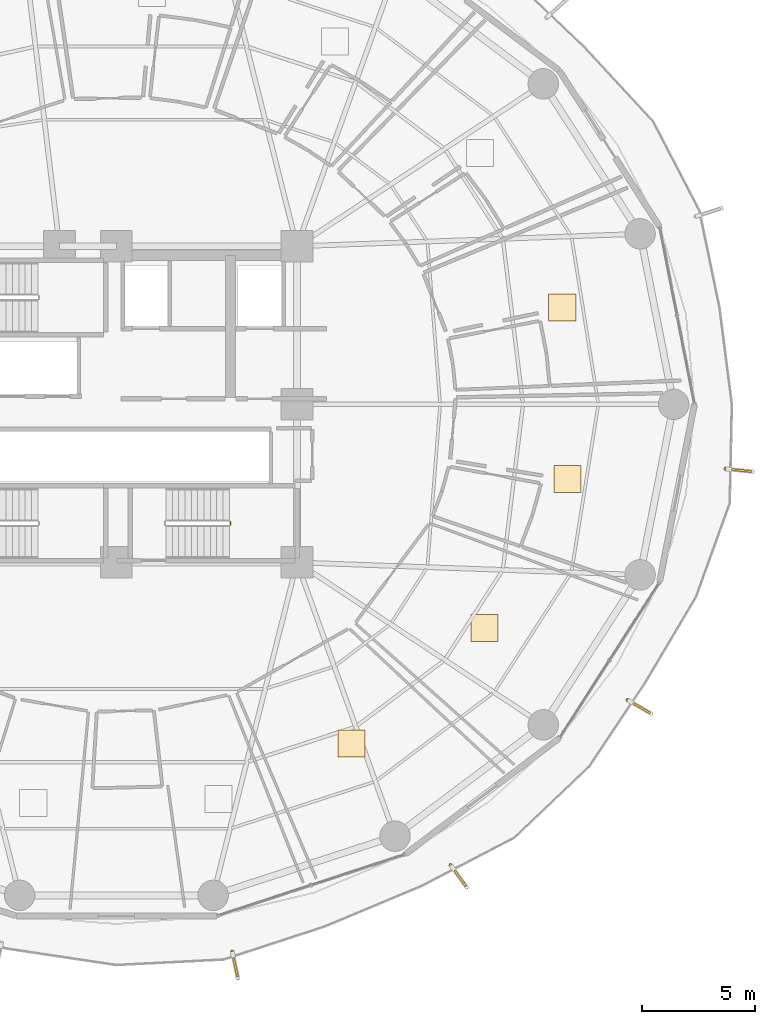
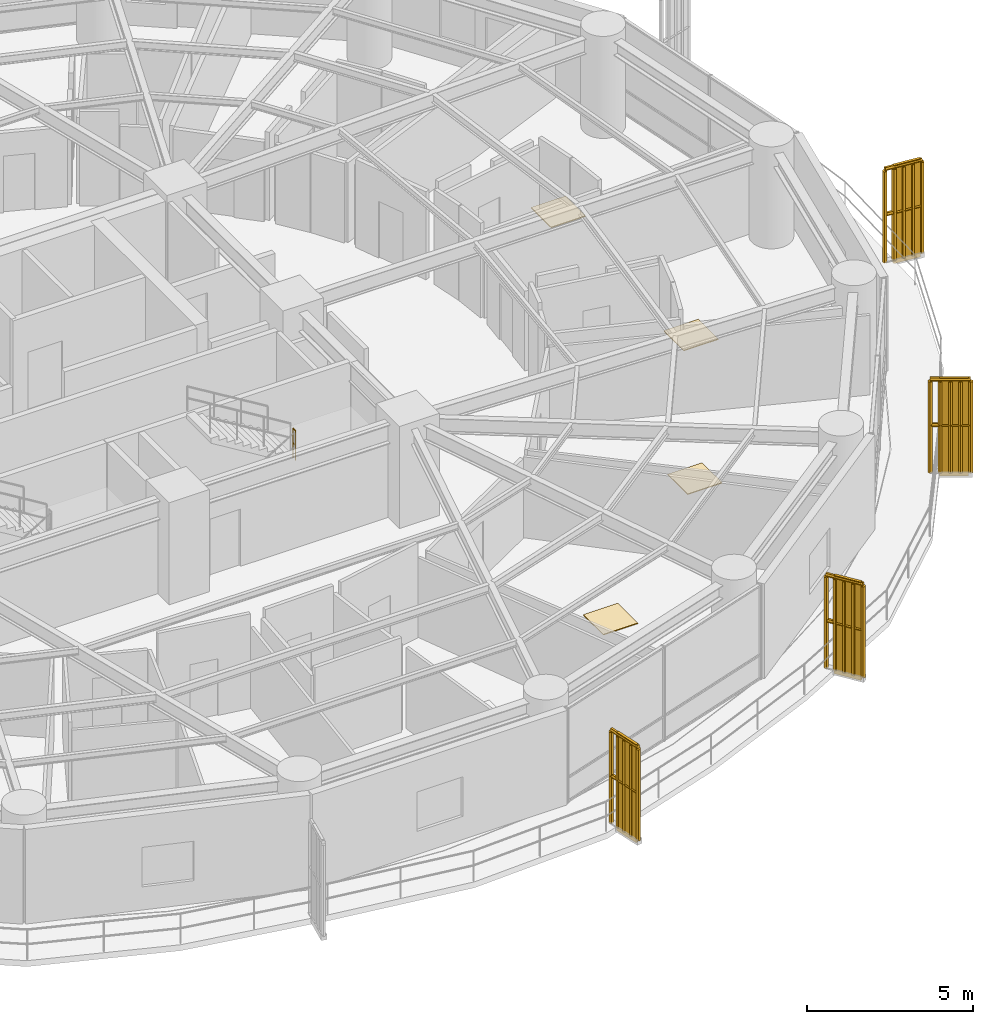
# One storey, part 34 of 35: 5 railings, 4 coverings, 4 shading devices.
"""IFC4 building model written with IfcOpenShell, lengths in metres."""

from ifc_helpers import new_model, si_unit, direction, frame, origin, origin_2d, place, context, subcontext, project, spatial, polyline, rectangle, outline, extrude, source, transform, mapped, material, layer, layer_set, type_object, element, save


model = new_model("IFC4")

# Units and contexts
model_context = context("Model", 3, precision=1e-05, world=origin(), true_north=direction((0.0, 1.0)))
body_context = subcontext(model_context, "Body", "Model", "MODEL_VIEW")
ifc_project = project(units=[si_unit("LENGTHUNIT", "METRE"), si_unit("AREAUNIT", "SQUARE_METRE"), si_unit("VOLUMEUNIT", "CUBIC_METRE"), si_unit("PLANEANGLEUNIT", "RADIAN"), si_unit("MASSUNIT", "GRAM", prefix="KILO")], contexts=[model_context])

# Site, building, storey
site_placement = place(None, origin())
site = spatial("IfcSite", under=ifc_project, at=site_placement, CompositionType="ELEMENT")
building_placement = place(site_placement, origin())
building = spatial("IfcBuilding", under=site, at=building_placement, Name="Kelanora Arch Commons", CompositionType="ELEMENT")
storey_placement = place(building_placement, frame((0.0, 0.0, 91.35009765625)))
storey = spatial("IfcBuildingStorey", under=building, at=storey_placement, Name="L23", CompositionType="ELEMENT", Elevation=91.35009765625)

# Railings
ifc_material_1 = material(Name="Anodised bronze vertical shading fin rib assembly")
railing_type_1 = type_object("IfcRailingType", Name="RAIL-FIN-BRZ", PredefinedType="BALUSTRADE", material=ifc_material_1)
railing_1_placement = place(storey_placement, frame((79.130859375, 33.773681640625, -0.02001953125)))
element("IfcRailing", 1, at=railing_1_placement, inside=storey, type_object=railing_type_1, Name="Sweeping Bronze Vertical Fin Blade L23-10", PredefinedType="BALUSTRADE", context=body_context, shape_type="SweptSolid", body=[
    extrude(outline(polyline([(0.06982421875, 0.0), (0.034912109375, 0.060546875), (-0.034912109375, 0.060546875), (-0.06982421875, 0.0), (-0.034912109375, -0.060546875), (0.034912109375, -0.060546875), (0.06982421875, 0.0)])), frame((0.0, 0.0, 3.419921875), z_axis=(0.207276835249, -0.978282328149, 0.0), x_axis=(0.978282328149, 0.207276835249, 0.0)), (0.0, 0.0, 1.0), 1.21435546875),
    extrude(outline(polyline([(0.06982421875, 0.0), (0.034912109375, 0.060546875), (-0.034912109375, 0.060546875), (-0.06982421875, 0.0), (-0.034912109375, -0.060546875), (0.034912109375, -0.060546875), (0.06982421875, 0.0)])), frame((0.0, 0.0, 1.7451171875), z_axis=(0.207276835249, -0.978282328149, 0.0), x_axis=(0.978282328149, 0.207276835249, 0.0)), (0.0, 0.0, 1.0), 1.21435546875),
    extrude(outline(polyline([(0.080078125, 0.0), (0.0400390625, 0.0693359375), (-0.0400390625, 0.0693359375), (-0.080078125, 0.0), (-0.0400390625, -0.0693359375), (0.0400390625, -0.0693359375), (0.080078125, 0.0)])), origin(), (0.0, 0.0, 1.0), 3.35009765625),
    extrude(outline(polyline([(0.080078125, 0.0), (0.0400390625, 0.0693359375), (-0.0400390625, 0.0693359375), (-0.080078125, 0.0), (-0.0400390625, -0.0693359375), (0.0400390625, -0.0693359375), (0.080078125, 0.0)])), frame((0.06298828125, -0.296875, 0.0)), (0.0, 0.0, 1.0), 3.35009765625),
    extrude(outline(polyline([(0.080078125, 0.0), (0.0400390625, 0.0693359375), (-0.0400390625, 0.0693359375), (-0.080078125, 0.0), (-0.0400390625, -0.0693359375), (0.0400390625, -0.0693359375), (0.080078125, 0.0)])), frame((0.1259765625, -0.593994140625, 0.0)), (0.0, 0.0, 1.0), 3.35009765625),
    extrude(outline(polyline([(0.080078125, 0.0), (0.0400390625, 0.0693359375), (-0.0400390625, 0.0693359375), (-0.080078125, 0.0), (-0.0400390625, -0.0693359375), (0.0400390625, -0.0693359375), (0.080078125, 0.0)])), frame((0.188720703125, -0.89111328125, 0.0)), (0.0, 0.0, 1.0), 3.35009765625),
    extrude(outline(polyline([(0.080078125, 0.0), (0.0400390625, 0.0693359375), (-0.0400390625, 0.0693359375), (-0.080078125, 0.0), (-0.0400390625, -0.0693359375), (0.0400390625, -0.0693359375), (0.080078125, 0.0)])), frame((0.251708984375, -1.18798828125, 0.0)), (0.0, 0.0, 1.0), 3.35009765625),
])
railing_2_placement = place(storey_placement, frame((88.80419921875, 37.59228515625, -0.02001953125)))
element("IfcRailing", 2, at=railing_2_placement, inside=storey, type_object=railing_type_1, Name="Sweeping Bronze Vertical Fin Blade L23-11", PredefinedType="BALUSTRADE", context=body_context, shape_type="SweptSolid", body=[
    extrude(outline(polyline([(0.06982421875, 0.0), (0.034912109375, 0.060546875), (-0.034912109375, 0.060546875), (-0.06982421875, 0.0), (-0.034912109375, -0.060546875), (0.034912109375, -0.060546875), (0.06982421875, 0.0)])), frame((0.0, 0.0, 3.419921875), z_axis=(0.587155309377, -0.809474300192, 0.0), x_axis=(0.809474300192, 0.587155309377, 0.0)), (0.0, 0.0, 1.0), 1.214599609375),
    extrude(outline(polyline([(0.06982421875, 0.0), (0.034912109375, 0.060546875), (-0.034912109375, 0.060546875), (-0.06982421875, 0.0), (-0.034912109375, -0.060546875), (0.034912109375, -0.060546875), (0.06982421875, 0.0)])), frame((0.0, 0.0, 1.7451171875), z_axis=(0.587155309377, -0.809474300192, 0.0), x_axis=(0.809474300192, 0.587155309377, 0.0)), (0.0, 0.0, 1.0), 1.214599609375),
    extrude(outline(polyline([(0.080078125, 0.0), (0.0400390625, 0.0693359375), (-0.0400390625, 0.0693359375), (-0.080078125, 0.0), (-0.0400390625, -0.0693359375), (0.0400390625, -0.0693359375), (0.080078125, 0.0)])), origin(), (0.0, 0.0, 1.0), 3.35009765625),
    extrude(outline(polyline([(0.080078125, 0.0), (0.0400390625, 0.0693359375), (-0.0400390625, 0.0693359375), (-0.080078125, 0.0), (-0.0400390625, -0.0693359375), (0.0400390625, -0.0693359375), (0.080078125, 0.0)])), frame((0.17822265625, -0.245849609375, 0.0)), (0.0, 0.0, 1.0), 3.35009765625),
    extrude(outline(polyline([(0.080078125, 0.0), (0.0400390625, 0.0693359375), (-0.0400390625, 0.0693359375), (-0.080078125, 0.0), (-0.0400390625, -0.0693359375), (0.0400390625, -0.0693359375), (0.080078125, 0.0)])), frame((0.3564453125, -0.49169921875, 0.0)), (0.0, 0.0, 1.0), 3.35009765625),
    extrude(outline(polyline([(0.080078125, 0.0), (0.0400390625, 0.0693359375), (-0.0400390625, 0.0693359375), (-0.080078125, 0.0), (-0.0400390625, -0.0693359375), (0.0400390625, -0.0693359375), (0.080078125, 0.0)])), frame((0.534912109375, -0.7373046875, 0.0)), (0.0, 0.0, 1.0), 3.35009765625),
    extrude(outline(polyline([(0.080078125, 0.0), (0.0400390625, 0.0693359375), (-0.0400390625, 0.0693359375), (-0.080078125, 0.0), (-0.0400390625, -0.0693359375), (0.0400390625, -0.0693359375), (0.080078125, 0.0)])), frame((0.713134765625, -0.983154296875, 0.0)), (0.0, 0.0, 1.0), 3.35009765625),
])
railing_3_placement = place(storey_placement, frame((96.63720703125, 44.908203125, -0.02001953125)))
element("IfcRailing", 3, at=railing_3_placement, inside=storey, type_object=railing_type_1, Name="Sweeping Bronze Vertical Fin Blade L23-12", PredefinedType="BALUSTRADE", context=body_context, shape_type="SweptSolid", body=[
    extrude(outline(polyline([(0.06982421875, 0.0), (0.034912109375, 0.060546875), (-0.034912109375, 0.060546875), (-0.06982421875, 0.0), (-0.034912109375, -0.060546875), (0.034912109375, -0.060546875), (0.06982421875, 0.0)])), frame((0.0, 0.0, 3.419921875), z_axis=(0.865646369079, -0.500655933452, 0.0), x_axis=(0.500655933452, 0.865646369079, 0.0)), (0.0, 0.0, 1.0), 1.214599609375),
    extrude(outline(polyline([(0.06982421875, 0.0), (0.034912109375, 0.060546875), (-0.034912109375, 0.060546875), (-0.06982421875, 0.0), (-0.034912109375, -0.060546875), (0.034912109375, -0.060546875), (0.06982421875, 0.0)])), frame((0.0, 0.0, 1.7451171875), z_axis=(0.865646369079, -0.500655933452, 0.0), x_axis=(0.500655933452, 0.865646369079, 0.0)), (0.0, 0.0, 1.0), 1.214599609375),
    extrude(outline(polyline([(0.080078125, 0.0), (0.0400390625, 0.0693359375), (-0.0400390625, 0.0693359375), (-0.080078125, 0.0), (-0.0400390625, -0.0693359375), (0.0400390625, -0.0693359375), (0.080078125, 0.0)])), origin(), (0.0, 0.0, 1.0), 3.35009765625),
    extrude(outline(polyline([(0.080078125, 0.0), (0.0400390625, 0.0693359375), (-0.0400390625, 0.0693359375), (-0.080078125, 0.0), (-0.0400390625, -0.0693359375), (0.0400390625, -0.0693359375), (0.080078125, 0.0)])), frame((0.262939453125, -0.152099609375, 0.0)), (0.0, 0.0, 1.0), 3.35009765625),
    extrude(outline(polyline([(0.080078125, 0.0), (0.0400390625, 0.0693359375), (-0.0400390625, 0.0693359375), (-0.080078125, 0.0), (-0.0400390625, -0.0693359375), (0.0400390625, -0.0693359375), (0.080078125, 0.0)])), frame((0.52587890625, -0.30419921875, 0.0)), (0.0, 0.0, 1.0), 3.35009765625),
    extrude(outline(polyline([(0.080078125, 0.0), (0.0400390625, 0.0693359375), (-0.0400390625, 0.0693359375), (-0.080078125, 0.0), (-0.0400390625, -0.0693359375), (0.0400390625, -0.0693359375), (0.080078125, 0.0)])), frame((0.78857421875, -0.4560546875, 0.0)), (0.0, 0.0, 1.0), 3.35009765625),
    extrude(outline(polyline([(0.080078125, 0.0), (0.0400390625, 0.0693359375), (-0.0400390625, 0.0693359375), (-0.080078125, 0.0), (-0.0400390625, -0.0693359375), (0.0400390625, -0.0693359375), (0.080078125, 0.0)])), frame((1.051513671875, -0.608154296875, 0.0)), (0.0, 0.0, 1.0), 3.35009765625),
])
railing_4_placement = place(storey_placement, frame((100.970947265625, 55.145263671875, -0.02001953125)))
element("IfcRailing", 4, at=railing_4_placement, inside=storey, type_object=railing_type_1, Name="Sweeping Bronze Vertical Fin Blade L23-13", PredefinedType="BALUSTRADE", context=body_context, shape_type="SweptSolid", body=[
    extrude(outline(polyline([(0.06982421875, 0.0), (0.034912109375, 0.060546875), (-0.034912109375, 0.060546875), (-0.06982421875, 0.0), (-0.034912109375, -0.060546875), (0.034912109375, -0.060546875), (0.06982421875, 0.0)])), frame((0.0, 0.0, 3.419921875), z_axis=(0.994436950202, -0.105333527776, 0.0), x_axis=(0.105333527776, 0.994436950202, 0.0)), (0.0, 0.0, 1.0), 1.214599609375),
    extrude(outline(polyline([(0.06982421875, 0.0), (0.034912109375, 0.060546875), (-0.034912109375, 0.060546875), (-0.06982421875, 0.0), (-0.034912109375, -0.060546875), (0.034912109375, -0.060546875), (0.06982421875, 0.0)])), frame((0.0, 0.0, 1.7451171875), z_axis=(0.994436950202, -0.105333527776, 0.0), x_axis=(0.105333527776, 0.994436950202, 0.0)), (0.0, 0.0, 1.0), 1.214599609375),
    extrude(outline(polyline([(0.080078125, 0.0), (0.0400390625, 0.0693359375), (-0.0400390625, 0.0693359375), (-0.080078125, 0.0), (-0.0400390625, -0.0693359375), (0.0400390625, -0.0693359375), (0.080078125, 0.0)])), origin(), (0.0, 0.0, 1.0), 3.35009765625),
    extrude(outline(polyline([(0.080078125, 0.0), (0.0400390625, 0.0693359375), (-0.0400390625, 0.0693359375), (-0.080078125, 0.0), (-0.0400390625, -0.0693359375), (0.0400390625, -0.0693359375), (0.080078125, 0.0)])), frame((0.302001953125, -0.031982421875, 0.0)), (0.0, 0.0, 1.0), 3.35009765625),
    extrude(outline(polyline([(0.080078125, 0.0), (0.0400390625, 0.0693359375), (-0.0400390625, 0.0693359375), (-0.080078125, 0.0), (-0.0400390625, -0.0693359375), (0.0400390625, -0.0693359375), (0.080078125, 0.0)])), frame((0.60400390625, -0.06396484375, 0.0)), (0.0, 0.0, 1.0), 3.35009765625),
    extrude(outline(polyline([(0.080078125, 0.0), (0.0400390625, 0.0693359375), (-0.0400390625, 0.0693359375), (-0.080078125, 0.0), (-0.0400390625, -0.0693359375), (0.0400390625, -0.0693359375), (0.080078125, 0.0)])), frame((0.90576171875, -0.095947265625, 0.0)), (0.0, 0.0, 1.0), 3.35009765625),
    extrude(outline(polyline([(0.080078125, 0.0), (0.0400390625, 0.0693359375), (-0.0400390625, 0.0693359375), (-0.080078125, 0.0), (-0.0400390625, -0.0693359375), (0.0400390625, -0.0693359375), (0.080078125, 0.0)])), frame((1.207763671875, -0.1279296875, 0.0)), (0.0, 0.0, 1.0), 3.35009765625),
])
ifc_material_2 = material(Name="Painted steel stair well guard", Category="steel")
railing_type_2 = type_object("IfcRailingType", Name="RAIL-STAIR-GRD", PredefinedType="GUARDRAIL", material=ifc_material_2)
railing_5_placement = place(storey_placement, frame((79.050048828125, 52.659912109375, 1.875)))
element("IfcRailing", 5, at=railing_5_placement, inside=storey, type_object=railing_type_2, Name="L23 ST-T2 stair guard 2", PredefinedType="GUARDRAIL", context=body_context, shape_type="SweptSolid", body=[
    extrude(outline(polyline([(0.02392578125, 0.0), (0.011962890625, 0.020751953125), (-0.011962890625, 0.020751953125), (-0.02392578125, 0.0), (-0.011962890625, -0.020751953125), (0.011962890625, -0.020751953125), (0.02392578125, 0.0)])), frame((0.0, 0.0, 1.076171875), z_axis=(0.0, 1.0, 0.0), x_axis=(-1.0, 0.0, 0.0)), (0.0, 0.0, 1.0), 0.150146484375),
    extrude(outline(polyline([(0.02392578125, 0.0), (0.011962890625, 0.020751953125), (-0.011962890625, 0.020751953125), (-0.02392578125, 0.0), (-0.011962890625, -0.020751953125), (0.011962890625, -0.020751953125), (0.02392578125, 0.0)])), frame((0.0, 0.0, 0.550048828125), z_axis=(0.0, 1.0, 0.0), x_axis=(-1.0, 0.0, 0.0)), (0.0, 0.0, 1.0), 0.150146484375),
    extrude(outline(polyline([(0.02099609375, 0.0), (0.010498046875, 0.01806640625), (-0.010498046875, 0.01806640625), (-0.02099609375, 0.0), (-0.010498046875, -0.01806640625), (0.010498046875, -0.01806640625), (0.02099609375, 0.0)])), origin(), (0.0, 0.0, 1.0), 1.052001953125),
    extrude(outline(polyline([(0.02099609375, 0.0), (0.010498046875, 0.01806640625), (-0.010498046875, 0.01806640625), (-0.02099609375, 0.0), (-0.010498046875, -0.01806640625), (0.010498046875, -0.01806640625), (0.02099609375, 0.0)])), frame((0.0, 0.150146484375, 0.0)), (0.0, 0.0, 1.0), 1.052001953125),
])

# Shading devices
ifc_material_3 = material(Name="Terracotta ceramic-clad extruded aluminium fin", Category="masonry")
shading_device_type = type_object("IfcShadingDeviceType", Name="SHD-FIN-FLARE", PredefinedType="USERDEFINED", material=ifc_material_3)
shared_shape_1 = source(origin(), body_context, "Body", "SweptSolid", [
    extrude(rectangle(XDim=0.8798828125, YDim=0.090087890625, at=origin_2d()), origin(), (0.0, 0.0, 1.0), 3.610107421875),
])
for number, where, z_axis, x_axis, name in (
    (6, (79.280029296875, 33.0693359375, -0.14013671875), (0.0, 0.0, 1.0), (0.207228764358, -0.978292512096, 0.0), "Sweeping Terracotta Fin L23-10"),
    (7, (89.22705078125, 37.009521484375, -0.14013671875), (0.0, 0.0, 1.0), (0.587220308688, -0.809427148707, 0.0), "Sweeping Terracotta Fin L23-11"),
    (8, (97.260498046875, 44.547607421875, -0.14013671875), (0.0, 0.0, 1.0), (0.865676126917, -0.500604477892, 0.0), "Sweeping Terracotta Fin L23-12"),
    (9, (101.68701171875, 55.069580078125, -0.14013671875), (0.0, 0.0, 1.0), (0.994448678381, -0.105222745001, 0.0), "Sweeping Terracotta Fin L23-13"),
):
    element("IfcShadingDevice", number, at=place(storey_placement, frame(where, z_axis=z_axis, x_axis=x_axis)), inside=storey, type_object=shading_device_type, Name=name, ObjectType="FIN", PredefinedType="USERDEFINED", context=body_context, shape_type="MappedRepresentation", body=[
        mapped(shared_shape_1, transform((0.0, 0.0, 0.0), scale=1.0)),
    ])

# Coverings
ifc_material_4 = material(Name="Polished local granite terrazzo flooring", Category="masonry")
ifc_layer = layer(ifc_material_4, 0.030029296875)
ifc_layer_set = layer_set([ifc_layer], Name="Polished local granite terrazzo flooring")
covering_type = type_object("IfcCoveringType", Name="COV-FLR-TER", PredefinedType="FLOORING", material=ifc_layer_set)
shared_shape_2 = source(origin(), body_context, "Body", "SweptSolid", [
    extrude(rectangle(XDim=1.199951171875, YDim=1.199951171875, at=origin_2d()), origin(), (0.0, 0.0, 1.0), 0.030029296875),
])
for number, where, z_axis, x_axis, name in (
    (10, (84.42138671875, 42.9853515625, 0.0), (0.0, 0.0, 1.0), (1.0, 0.0, 0.0), "Quiet Seminar Study Room L23-12 Terrazzo Finish"),
    (11, (90.303955078125, 48.099609375, 0.0), (0.0, 0.0, 1.0), (1.0, 0.0, 0.0), "Quiet Seminar Study Room L23-13 Terrazzo Finish"),
    (12, (93.97265625, 54.685791015625, 0.0), (0.0, 0.0, 1.0), (1.0, 0.0, 0.0), "Co-Living Studio L23-14 Terrazzo Finish"),
    (13, (93.744873046875, 62.281982421875, 0.0), (0.0, 0.0, 1.0), (1.0, 0.0, 0.0), "Co-Living Studio L23-15 Terrazzo Finish"),
):
    element("IfcCovering", number, at=place(storey_placement, frame(where, z_axis=z_axis, x_axis=x_axis)), inside=storey, type_object=covering_type, Name=name, PredefinedType="FLOORING", context=body_context, shape_type="MappedRepresentation", body=[
        mapped(shared_shape_2, transform((0.0, 0.0, 0.0), scale=1.0)),
    ])

save(model, "model.ifc")
